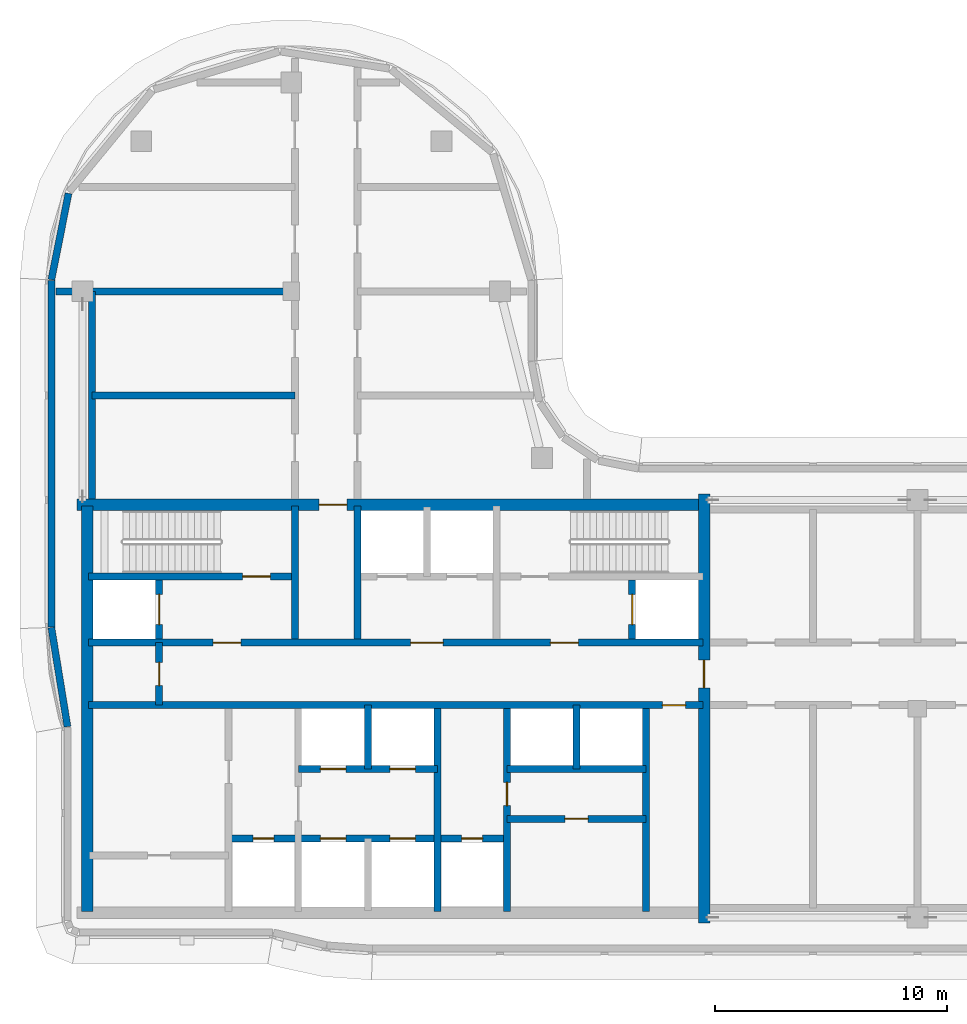
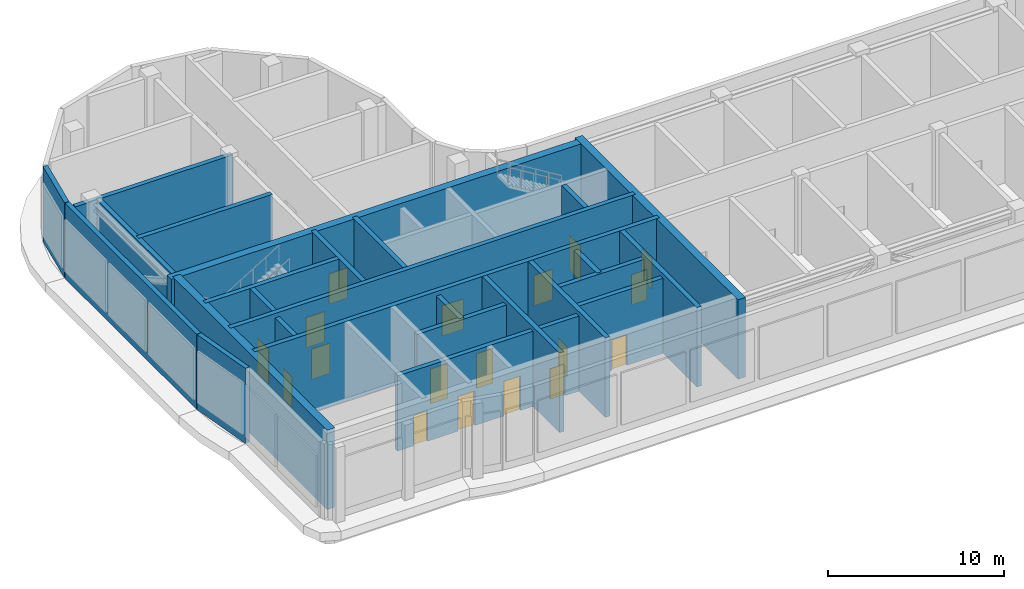
# One storey, part 2 of 14: 26 walls, 18 doors, 18 openings.
"""IFC4 building model written with IfcOpenShell, lengths in metres."""

from ifc_helpers import new_model, si_unit, direction, frame, frame_2d, origin, place, context, subcontext, project, spatial, rectangle, extrude, material, layer, layer_set, type_object, element, fill, save


model = new_model("IFC4")

# Units and contexts
model_context = context("Model", 3, precision=1e-05, world=origin(), true_north=direction((0.0, 1.0)))
body_context = subcontext(model_context, "Body", "Model", "MODEL_VIEW")
ifc_project = project(units=[si_unit("LENGTHUNIT", "METRE"), si_unit("AREAUNIT", "SQUARE_METRE"), si_unit("VOLUMEUNIT", "CUBIC_METRE"), si_unit("PLANEANGLEUNIT", "RADIAN"), si_unit("MASSUNIT", "GRAM", prefix="KILO")], contexts=[model_context])

# Site, building, storey
site_placement = place(None, origin())
site = spatial("IfcSite", under=ifc_project, at=site_placement, CompositionType="ELEMENT")
building_placement = place(site_placement, origin())
building = spatial("IfcBuilding", under=site, at=building_placement, Name="Ogive Portal Towers", CompositionType="ELEMENT")
storey_placement = place(building_placement, frame((0.0, 0.0, 243.89990234375)))
storey = spatial("IfcBuildingStorey", under=building, at=storey_placement, Name="L61", CompositionType="ELEMENT", Elevation=243.89990234375)

# Wall
ifc_material_1 = material(Name="Concrete C60/75", Category="concrete")
ifc_layer_1 = layer(ifc_material_1, 0.300048828125)
ifc_layer_set_1 = layer_set([ifc_layer_1], Name="CORE WALL 300 C60")
wall_type_1 = type_object("IfcWallType", Name="CORE WALL 300 C60", PredefinedType="SHEAR", material=ifc_layer_set_1)
wall_1_placement = place(storey_placement, frame((46.800048828125, 21.75, 0.0), z_axis=(0.0, 0.0, 1.0), x_axis=(0.0, 1.0, 0.0)))
element("IfcWall", 1, at=wall_1_placement, inside=storey, type_object=wall_type_1, Name="Core wall X3 L61", PredefinedType="SHEAR", context=body_context, shape_type="SweptSolid", body=[
    extrude(rectangle(XDim=8.75, YDim=0.300048828125, at=frame_2d((4.375, 0.0))), origin(), (0.0, 0.0, 1.0), 5.5),
])

# Wall, opening, door
wall_2_placement = place(storey_placement, frame((49.800048828125, 21.75, 0.0), z_axis=(0.0, 0.0, 1.0), x_axis=(0.0, 1.0, 0.0)))
wall_2 = element("IfcWall", 2, at=wall_2_placement, inside=storey, type_object=wall_type_1, Name="Core wall X4 L61", PredefinedType="SHEAR", context=body_context, shape_type="SweptSolid", body=[
    extrude(rectangle(XDim=8.75, YDim=0.300048828125, at=frame_2d((4.375, 0.0))), origin(), (0.0, 0.0, 1.0), 5.5),
])
opening_1_placement = place(wall_2_placement, frame((4.574951171875, 0.0, 0.0)))
opening_1 = element("IfcOpeningElement", 3, at=opening_1_placement, cuts=wall_2, Name="Opening D27-022", PredefinedType="OPENING", context=body_context, shape_type="SweptSolid", body=[
    extrude(rectangle(XDim=1.0, YDim=2.10009765625, at=frame_2d((0.5, 1.050048828125))), frame((0.0, 0.16015625, 0.0), z_axis=(0.0, -1.0, 0.0), x_axis=(1.0, 0.0, 0.0)), (0.0, 0.0, 1.0), 0.320068359375),
])
ifc_material_2 = material(Name="Steel fire door", Category="steel")
door_type_1 = type_object("IfcDoorType", Name="DT-SWING-1000x2100-FD90S", OperationType="SINGLE_SWING_LEFT", PredefinedType="DOOR", material=ifc_material_2)
door_1_placement = place(opening_1_placement, origin())
door_1 = element("IfcDoor", 4, at=door_1_placement, inside=storey, type_object=door_type_1, Name="Door D27-022", OperationType="SINGLE_SWING_LEFT", OverallHeight=2.10009765625, OverallWidth=1.0, PredefinedType="DOOR", context=body_context, shape_type="SweptSolid", body=[
    extrude(rectangle(XDim=1.0, YDim=2.10009765625, at=frame_2d((0.5, 1.050048828125))), frame((0.0, 0.02490234375, 0.0), z_axis=(0.0, -1.0, 0.0), x_axis=(1.0, 0.0, 0.0)), (0.0, 0.0, 1.0), 0.050048828125),
])
fill(opening_1, door_1)

# Wall
wall_3_placement = place(storey_placement, frame((55.800048828125, 21.75, 0.0), z_axis=(0.0, 0.0, 1.0), x_axis=(0.0, 1.0, 0.0)))
element("IfcWall", 5, at=wall_3_placement, inside=storey, type_object=wall_type_1, Name="Core wall X5 L61", PredefinedType="SHEAR", context=body_context, shape_type="SweptSolid", body=[
    extrude(rectangle(XDim=8.75, YDim=0.300048828125, at=frame_2d((4.375, 0.0))), origin(), (0.0, 0.0, 1.0), 5.5),
])

# Wall, opening, door
wall_4_placement = place(storey_placement, frame((31.75, 30.64990234375, 0.0), z_axis=(0.0, 0.0, 1.0), x_axis=(1.0, 0.0, 0.0)))
wall_4 = element("IfcWall", 6, at=wall_4_placement, inside=storey, type_object=wall_type_1, Name="Core wall Y1 L61", PredefinedType="SHEAR", context=body_context, shape_type="SweptSolid", body=[
    extrude(rectangle(XDim=26.5, YDim=0.300048828125, at=frame_2d((13.25, 0.0))), origin(), (0.0, 0.0, 1.0), 5.5),
])
opening_2_placement = place(wall_4_placement, frame((24.75, 0.0, 0.0)))
opening_2 = element("IfcOpeningElement", 7, at=opening_2_placement, cuts=wall_4, Name="Opening D27-009", PredefinedType="OPENING", context=body_context, shape_type="SweptSolid", body=[
    extrude(rectangle(XDim=1.0, YDim=2.10009765625, at=frame_2d((0.5, 1.050048828125))), frame((0.0, 0.16015625, 0.0), z_axis=(0.0, -1.0, 0.0), x_axis=(1.0, 0.0, 0.0)), (0.0, 0.0, 1.0), 0.320068359375),
])
door_2_placement = place(opening_2_placement, origin())
door_2 = element("IfcDoor", 8, at=door_2_placement, inside=storey, type_object=door_type_1, Name="Door D27-009", OperationType="SINGLE_SWING_LEFT", OverallHeight=2.10009765625, OverallWidth=1.0, PredefinedType="DOOR", context=body_context, shape_type="SweptSolid", body=[
    extrude(rectangle(XDim=1.0, YDim=2.10009765625, at=frame_2d((0.5, 1.050048828125))), frame((0.0, 0.02490234375, 0.0), z_axis=(0.0, -1.0, 0.0), x_axis=(1.0, 0.0, 0.0)), (0.0, 0.0, 1.0), 0.050048828125),
])
fill(opening_2, door_2)

# Wall, openings, doors
wall_5_placement = place(storey_placement, frame((31.75, 33.35009765625, 0.0), z_axis=(0.0, 0.0, 1.0), x_axis=(1.0, 0.0, 0.0)))
wall_5 = element("IfcWall", 9, at=wall_5_placement, inside=storey, type_object=wall_type_1, Name="Core wall Y2 L61", PredefinedType="SHEAR", context=body_context, shape_type="SweptSolid", body=[
    extrude(rectangle(XDim=26.5, YDim=0.300048828125, at=frame_2d((13.25, 0.0))), origin(), (0.0, 0.0, 1.0), 5.5),
])
opening_3_placement = place(wall_5_placement, frame((13.89990234375, 0.0, 0.0)))
opening_3 = element("IfcOpeningElement", 10, at=opening_3_placement, cuts=wall_5, Name="Opening D27-002", PredefinedType="OPENING", context=body_context, shape_type="SweptSolid", body=[
    extrude(rectangle(XDim=1.39990234375, YDim=2.10009765625, at=frame_2d((0.699951171875, 1.050048828125))), frame((0.0, 0.16015625, 0.0), z_axis=(0.0, -1.0, 0.0), x_axis=(1.0, 0.0, 0.0)), (0.0, 0.0, 1.0), 0.320068359375),
])
opening_4_placement = place(wall_5_placement, frame((5.375, 0.0, 0.0)))
opening_4 = element("IfcOpeningElement", 11, at=opening_4_placement, cuts=wall_5, Name="Opening D27-003", PredefinedType="OPENING", context=body_context, shape_type="SweptSolid", body=[
    extrude(rectangle(XDim=1.199951171875, YDim=2.10009765625, at=frame_2d((0.60009765625, 1.050048828125))), frame((0.0, 0.16015625, 0.0), z_axis=(0.0, -1.0, 0.0), x_axis=(1.0, 0.0, 0.0)), (0.0, 0.0, 1.0), 0.320068359375),
])
opening_5_placement = place(wall_5_placement, frame((19.925048828125, 0.0, 0.0)))
opening_5 = element("IfcOpeningElement", 12, at=opening_5_placement, cuts=wall_5, Name="Opening D27-004", PredefinedType="OPENING", context=body_context, shape_type="SweptSolid", body=[
    extrude(rectangle(XDim=1.199951171875, YDim=2.10009765625, at=frame_2d((0.60009765625, 1.050048828125))), frame((0.0, 0.16015625, 0.0), z_axis=(0.0, -1.0, 0.0), x_axis=(1.0, 0.0, 0.0)), (0.0, 0.0, 1.0), 0.320068359375),
])
door_type_2 = type_object("IfcDoorType", Name="DT-SWING-1200x2100-FD90S", OperationType="SINGLE_SWING_LEFT", PredefinedType="DOOR", material=ifc_material_2)
door_3_placement = place(opening_4_placement, origin())
door_3 = element("IfcDoor", 13, at=door_3_placement, inside=storey, type_object=door_type_2, Name="Door D27-003", OperationType="SINGLE_SWING_LEFT", OverallHeight=2.10009765625, OverallWidth=1.199951171875, PredefinedType="DOOR", context=body_context, shape_type="SweptSolid", body=[
    extrude(rectangle(XDim=1.199951171875, YDim=2.10009765625, at=frame_2d((0.60009765625, 1.050048828125))), frame((0.0, 0.02490234375, 0.0), z_axis=(0.0, -1.0, 0.0), x_axis=(1.0, 0.0, 0.0)), (0.0, 0.0, 1.0), 0.050048828125),
])
fill(opening_4, door_3)
door_4_placement = place(opening_5_placement, origin())
door_4 = element("IfcDoor", 14, at=door_4_placement, inside=storey, type_object=door_type_2, Name="Door D27-004", OperationType="SINGLE_SWING_RIGHT", OverallHeight=2.10009765625, OverallWidth=1.199951171875, PredefinedType="DOOR", context=body_context, shape_type="SweptSolid", body=[
    extrude(rectangle(XDim=1.199951171875, YDim=2.10009765625, at=frame_2d((0.60009765625, 1.050048828125))), frame((0.0, 0.02490234375, 0.0), z_axis=(0.0, -1.0, 0.0), x_axis=(1.0, 0.0, 0.0)), (0.0, 0.0, 1.0), 0.050048828125),
])
fill(opening_5, door_4)
door_type_3 = type_object("IfcDoorType", Name="DT-SWING-1400x2100-FD90S", OperationType="SINGLE_SWING_LEFT", PredefinedType="DOOR", material=ifc_material_2)
door_5_placement = place(opening_3_placement, origin())
door_5 = element("IfcDoor", 15, at=door_5_placement, inside=storey, type_object=door_type_3, Name="Door D27-002", OperationType="SINGLE_SWING_RIGHT", OverallHeight=2.10009765625, OverallWidth=1.39990234375, PredefinedType="DOOR", context=body_context, shape_type="SweptSolid", body=[
    extrude(rectangle(XDim=1.39990234375, YDim=2.10009765625, at=frame_2d((0.699951171875, 1.050048828125))), frame((0.0, 0.02490234375, 0.0), z_axis=(0.0, -1.0, 0.0), x_axis=(1.0, 0.0, 0.0)), (0.0, 0.0, 1.0), 0.050048828125),
])
fill(opening_3, door_5)

# Wall, opening, door
wall_6_placement = place(storey_placement, frame((31.75, 36.199951171875, 0.0), z_axis=(0.0, 0.0, 1.0), x_axis=(1.0, 0.0, 0.0)))
wall_6 = element("IfcWall", 16, at=wall_6_placement, inside=storey, type_object=wall_type_1, Name="Core wall Y3a L61", PredefinedType="SHEAR", context=body_context, shape_type="SweptSolid", body=[
    extrude(rectangle(XDim=8.75, YDim=0.300048828125, at=frame_2d((4.375, 0.0))), origin(), (0.0, 0.0, 1.0), 5.5),
])
opening_6_placement = place(wall_6_placement, frame((6.64990234375, 0.0, 0.0)))
opening_6 = element("IfcOpeningElement", 17, at=opening_6_placement, cuts=wall_6, Name="Opening D27-005", PredefinedType="OPENING", context=body_context, shape_type="SweptSolid", body=[
    extrude(rectangle(XDim=1.199951171875, YDim=2.10009765625, at=frame_2d((0.60009765625, 1.050048828125))), frame((0.0, 0.16015625, 0.0), z_axis=(0.0, -1.0, 0.0), x_axis=(1.0, 0.0, 0.0)), (0.0, 0.0, 1.0), 0.320068359375),
])
door_6_placement = place(opening_6_placement, origin())
door_6 = element("IfcDoor", 18, at=door_6_placement, inside=storey, type_object=door_type_2, Name="Door D27-005", OperationType="SINGLE_SWING_RIGHT", OverallHeight=2.10009765625, OverallWidth=1.199951171875, PredefinedType="DOOR", context=body_context, shape_type="SweptSolid", body=[
    extrude(rectangle(XDim=1.199951171875, YDim=2.10009765625, at=frame_2d((0.60009765625, 1.050048828125))), frame((0.0, 0.02490234375, 0.0), z_axis=(0.0, -1.0, 0.0), x_axis=(1.0, 0.0, 0.0)), (0.0, 0.0, 1.0), 0.050048828125),
])
fill(opening_6, door_6)

# Walls
for number, where, z_axis, x_axis, name in (
    (19, (40.64990234375, 33.5, 0.0), (0.0, 0.0, 1.0), (0.0, 1.0, 0.0), "Core wall X6 L61"),
    (20, (43.35009765625, 33.5, 0.0), (0.0, 0.0, 1.0), (0.0, 1.0, 0.0), "Core wall X7 L61"),
):
    element("IfcWall", number, at=place(storey_placement, frame(where, z_axis=z_axis, x_axis=x_axis)), inside=storey, type_object=wall_type_1, Name=name, PredefinedType="SHEAR", context=body_context, shape_type="SweptSolid", body=[
        extrude(rectangle(XDim=5.75, YDim=0.300048828125, at=frame_2d((2.875, 0.0))), origin(), (0.0, 0.0, 1.0), 5.5),
    ])

# Wall, opening, door
wall_7_placement = place(storey_placement, frame((34.800048828125, 33.5, 0.0), z_axis=(0.0, 0.0, 1.0), x_axis=(0.0, 1.0, 0.0)))
wall_7 = element("IfcWall", 21, at=wall_7_placement, inside=storey, type_object=wall_type_1, Name="Core wall X8 L61", PredefinedType="SHEAR", context=body_context, shape_type="SweptSolid", body=[
    extrude(rectangle(XDim=2.550048828125, YDim=0.300048828125, at=frame_2d((1.27490234375, 0.0))), origin(), (0.0, 0.0, 1.0), 5.5),
])
opening_7_placement = place(wall_7_placement, frame((0.625, 0.0, 0.0)))
opening_7 = element("IfcOpeningElement", 22, at=opening_7_placement, cuts=wall_7, Name="Opening D27-018", PredefinedType="OPENING", context=body_context, shape_type="SweptSolid", body=[
    extrude(rectangle(XDim=1.300048828125, YDim=2.39990234375, at=frame_2d((0.64990234375, 1.199951171875))), frame((0.0, 0.16015625, 0.0), z_axis=(0.0, -1.0, 0.0), x_axis=(1.0, 0.0, 0.0)), (0.0, 0.0, 1.0), 0.320068359375),
])
ifc_material_3 = material(Name="Stainless steel", Category="steel")
door_type_4 = type_object("IfcDoorType", Name="DT-LD-1300x2400", OperationType="SLIDING_TO_LEFT", PredefinedType="DOOR", material=ifc_material_3)
door_7_placement = place(opening_7_placement, origin())
door_7 = element("IfcDoor", 23, at=door_7_placement, inside=storey, type_object=door_type_4, Name="Door D27-018", OperationType="SLIDING_TO_LEFT", OverallHeight=2.39990234375, OverallWidth=1.300048828125, PredefinedType="DOOR", context=body_context, shape_type="SweptSolid", body=[
    extrude(rectangle(XDim=1.300048828125, YDim=2.39990234375, at=frame_2d((0.64990234375, 1.199951171875))), frame((0.0, 0.02490234375, 0.0), z_axis=(0.0, -1.0, 0.0), x_axis=(1.0, 0.0, 0.0)), (0.0, 0.0, 1.0), 0.050048828125),
])
fill(opening_7, door_7)

wall_8_placement = place(storey_placement, frame((55.199951171875, 33.5, 0.0), z_axis=(0.0, 0.0, 1.0), x_axis=(0.0, 1.0, 0.0)))
wall_8 = element("IfcWall", 24, at=wall_8_placement, inside=storey, type_object=wall_type_1, Name="Core wall X10 L61", PredefinedType="SHEAR", context=body_context, shape_type="SweptSolid", body=[
    extrude(rectangle(XDim=2.550048828125, YDim=0.300048828125, at=frame_2d((1.27490234375, 0.0))), origin(), (0.0, 0.0, 1.0), 5.5),
])
opening_8_placement = place(wall_8_placement, frame((0.625, 0.0, 0.0)))
opening_8 = element("IfcOpeningElement", 25, at=opening_8_placement, cuts=wall_8, Name="Opening D27-019", PredefinedType="OPENING", context=body_context, shape_type="SweptSolid", body=[
    extrude(rectangle(XDim=1.300048828125, YDim=2.39990234375, at=frame_2d((0.64990234375, 1.199951171875))), frame((0.0, 0.16015625, 0.0), z_axis=(0.0, -1.0, 0.0), x_axis=(1.0, 0.0, 0.0)), (0.0, 0.0, 1.0), 0.320068359375),
])
door_8_placement = place(opening_8_placement, origin())
door_8 = element("IfcDoor", 26, at=door_8_placement, inside=storey, type_object=door_type_4, Name="Door D27-019", OperationType="SLIDING_TO_LEFT", OverallHeight=2.39990234375, OverallWidth=1.300048828125, PredefinedType="DOOR", context=body_context, shape_type="SweptSolid", body=[
    extrude(rectangle(XDim=1.300048828125, YDim=2.39990234375, at=frame_2d((0.64990234375, 1.199951171875))), frame((0.0, 0.02490234375, 0.0), z_axis=(0.0, -1.0, 0.0), x_axis=(1.0, 0.0, 0.0)), (0.0, 0.0, 1.0), 0.050048828125),
])
fill(opening_8, door_8)

# Wall
ifc_layer_2 = layer(ifc_material_1, 0.5)
ifc_layer_set_2 = layer_set([ifc_layer_2], Name="CORE WALL 500 C60")
wall_type_2 = type_object("IfcWallType", Name="CORE WALL 500 C60", PredefinedType="SHEAR", material=ifc_layer_set_2)
wall_9_placement = place(storey_placement, frame((31.699951171875, 21.75, 0.0), z_axis=(0.0, 0.0, 1.0), x_axis=(0.0, 1.0, 0.0)))
element("IfcWall", 27, at=wall_9_placement, inside=storey, type_object=wall_type_2, Name="Core wall W L61", PredefinedType="SHEAR", context=body_context, shape_type="SweptSolid", body=[
    extrude(rectangle(XDim=17.5, YDim=0.5, at=frame_2d((8.75, 0.0))), origin(), (0.0, 0.0, 1.0), 5.5),
])

# Wall, opening, door
wall_10_placement = place(storey_placement, frame((58.300048828125, 21.25, 0.0), z_axis=(0.0, 0.0, 1.0), x_axis=(0.0, 1.0, 0.0)))
wall_10 = element("IfcWall", 28, at=wall_10_placement, inside=storey, type_object=wall_type_2, Name="Core wall E L61", PredefinedType="SHEAR", context=body_context, shape_type="SweptSolid", body=[
    extrude(rectangle(XDim=18.5, YDim=0.5, at=frame_2d((9.25, 0.0))), origin(), (0.0, 0.0, 1.0), 5.5),
])
opening_9_placement = place(wall_10_placement, frame((10.14990234375, 0.0, 0.0)))
opening_9 = element("IfcOpeningElement", 29, at=opening_9_placement, cuts=wall_10, Name="Opening D27-010", PredefinedType="OPENING", context=body_context, shape_type="SweptSolid", body=[
    extrude(rectangle(XDim=1.199951171875, YDim=2.10009765625, at=frame_2d((0.60009765625, 1.050048828125))), frame((0.0, 0.260009765625, 0.0), z_axis=(0.0, -1.0, 0.0), x_axis=(1.0, 0.0, 0.0)), (0.0, 0.0, 1.0), 0.52001953125),
])
door_9_placement = place(opening_9_placement, origin())
door_9 = element("IfcDoor", 30, at=door_9_placement, inside=storey, type_object=door_type_2, Name="Door D27-010", OperationType="SINGLE_SWING_LEFT", OverallHeight=2.10009765625, OverallWidth=1.199951171875, PredefinedType="DOOR", context=body_context, shape_type="SweptSolid", body=[
    extrude(rectangle(XDim=1.199951171875, YDim=2.10009765625, at=frame_2d((0.60009765625, 1.050048828125))), frame((0.0, 0.02490234375, 0.0), z_axis=(0.0, -1.0, 0.0), x_axis=(1.0, 0.0, 0.0)), (0.0, 0.0, 1.0), 0.050048828125),
])
fill(opening_9, door_9)

wall_11_placement = place(storey_placement, frame((31.25, 39.300048828125, 0.0), z_axis=(0.0, 0.0, 1.0), x_axis=(1.0, 0.0, 0.0)))
wall_11 = element("IfcWall", 31, at=wall_11_placement, inside=storey, type_object=wall_type_2, Name="Core wall N L61", PredefinedType="SHEAR", context=body_context, shape_type="SweptSolid", body=[
    extrude(rectangle(XDim=27.0, YDim=0.5, at=frame_2d((13.5, 0.0))), origin(), (0.0, 0.0, 1.0), 5.5),
])
opening_10_placement = place(wall_11_placement, frame((10.449951171875, 0.0, 0.0)))
opening_10 = element("IfcOpeningElement", 32, at=opening_10_placement, cuts=wall_11, Name="Opening D27-011", PredefinedType="OPENING", context=body_context, shape_type="SweptSolid", body=[
    extrude(rectangle(XDim=1.199951171875, YDim=2.10009765625, at=frame_2d((0.60009765625, 1.050048828125))), frame((0.0, 0.260009765625, 0.0), z_axis=(0.0, -1.0, 0.0), x_axis=(1.0, 0.0, 0.0)), (0.0, 0.0, 1.0), 0.52001953125),
])
door_10_placement = place(opening_10_placement, origin())
door_10 = element("IfcDoor", 33, at=door_10_placement, inside=storey, type_object=door_type_2, Name="Door D27-011", OperationType="SINGLE_SWING_RIGHT", OverallHeight=2.10009765625, OverallWidth=1.199951171875, PredefinedType="DOOR", context=body_context, shape_type="SweptSolid", body=[
    extrude(rectangle(XDim=1.199951171875, YDim=2.10009765625, at=frame_2d((0.60009765625, 1.050048828125))), frame((0.0, 0.02490234375, 0.0), z_axis=(0.0, -1.0, 0.0), x_axis=(1.0, 0.0, 0.0)), (0.0, 0.0, 1.0), 0.050048828125),
])
fill(opening_10, door_10)

# Walls
ifc_material_4 = material(Name="Limestone cladding on lightweight block wall", Category="masonry")
ifc_layer_3 = layer(ifc_material_4, 0.300048828125)
ifc_layer_set_3 = layer_set([ifc_layer_3], Name="EXTERNAL WALL 300 STONE")
wall_type_3 = type_object("IfcWallType", Name="EXTERNAL WALL 300 STONE", PredefinedType="SOLIDWALL", material=ifc_layer_set_3)
wall_12_placement = place(storey_placement, frame((30.8935546875, 52.723876953125, 0.0), z_axis=(0.0, 0.0, 1.0), x_axis=(-0.195077379777, -0.980787854686, 0.0)))
element("IfcWall", 34, at=wall_12_placement, inside=storey, type_object=wall_type_3, Name="A:L61:f23:r0:wall", PredefinedType="SOLIDWALL", context=body_context, shape_type="SweptSolid", body=[
    extrude(rectangle(XDim=3.797119140625, YDim=0.300048828125, at=frame_2d((1.8984375, 0.0))), origin(), (0.0, 0.0, 1.0), 5.2001953125),
])
wall_13_placement = place(storey_placement, frame((30.14990234375, 48.970458984375, 0.0), z_axis=(0.0, 0.0, 1.0), x_axis=(0.0, -1.0, 0.0)))
element("IfcWall", 35, at=wall_13_placement, inside=storey, type_object=wall_type_3, Name="A:L61:f24:r0:wall", PredefinedType="SOLIDWALL", context=body_context, shape_type="SweptSolid", body=[
    extrude(rectangle(XDim=14.9462890625, YDim=0.300048828125, at=frame_2d((7.47314453125, 0.0))), origin(), (0.0, 0.0, 1.0), 5.2001953125),
])
wall_14_placement = place(storey_placement, frame((30.15185546875, 34.000244140625, 0.0), z_axis=(0.0, 0.0, 1.0), x_axis=(0.160697303067, -0.987003736967, 0.0)))
element("IfcWall", 36, at=wall_14_placement, inside=storey, type_object=wall_type_3, Name="A:L61:f25:r0:wall", PredefinedType="SOLIDWALL", context=body_context, shape_type="SweptSolid", body=[
    extrude(rectangle(XDim=4.3330078125, YDim=0.300048828125, at=frame_2d((2.16650390625, 0.0))), origin(), (0.0, 0.0, 1.0), 5.2001953125),
])

# Wall, opening, door
ifc_material_5 = material(Name="Gypsum board partition on steel studs", Category="steel")
ifc_layer_4 = layer(ifc_material_5, 0.300048828125)
ifc_layer_set_4 = layer_set([ifc_layer_4], Name="WT-PART-300")
wall_type_4 = type_object("IfcWallType", Name="WT-PART-300", PredefinedType="PARTITIONING", material=ifc_layer_set_4)
wall_15_placement = place(storey_placement, frame((49.800048828125, 25.75, 0.0), z_axis=(0.0, 0.0, 1.0), x_axis=(1.0, 0.0, 0.0)))
wall_15 = element("IfcWall", 37, at=wall_15_placement, inside=storey, type_object=wall_type_4, Name="Wall pw:003:L61", PredefinedType="PARTITIONING", context=body_context, shape_type="SweptSolid", body=[
    extrude(rectangle(XDim=6.0, YDim=0.300048828125, at=frame_2d((3.0, 0.0))), origin(), (0.0, 0.0, 1.0), 5.2001953125),
])
opening_11_placement = place(wall_15_placement, frame((2.5, 0.0, 0.0)))
opening_11 = element("IfcOpeningElement", 38, at=opening_11_placement, cuts=wall_15, Name="Opening D27-023", PredefinedType="OPENING", context=body_context, shape_type="SweptSolid", body=[
    extrude(rectangle(XDim=1.0, YDim=2.10009765625, at=frame_2d((0.5, 1.050048828125))), frame((0.0, 0.16015625, 0.0), z_axis=(0.0, -1.0, 0.0), x_axis=(1.0, 0.0, 0.0)), (0.0, 0.0, 1.0), 0.320068359375),
])
door_type_5 = type_object("IfcDoorType", Name="DT-SWING-1000x2100-FD60S", OperationType="SINGLE_SWING_LEFT", PredefinedType="DOOR", material=ifc_material_2)
door_11_placement = place(opening_11_placement, origin())
door_11 = element("IfcDoor", 39, at=door_11_placement, inside=storey, type_object=door_type_5, Name="Door D27-023", OperationType="SINGLE_SWING_RIGHT", OverallHeight=2.10009765625, OverallWidth=1.0, PredefinedType="DOOR", context=body_context, shape_type="SweptSolid", body=[
    extrude(rectangle(XDim=1.0, YDim=2.10009765625, at=frame_2d((0.5, 1.050048828125))), frame((0.0, 0.02490234375, 0.0), z_axis=(0.0, -1.0, 0.0), x_axis=(1.0, 0.0, 0.0)), (0.0, 0.0, 1.0), 0.050048828125),
])
fill(opening_11, door_11)

# Walls
ifc_layer_5 = layer(ifc_material_5, 0.300048828125)
ifc_layer_set_5 = layer_set([ifc_layer_5], Name="WT-PART-300-EI 60")
wall_type_5 = type_object("IfcWallType", Name="WT-PART-300-EI 60", PredefinedType="PARTITIONING", material=ifc_layer_set_5)
wall_16_placement = place(storey_placement, frame((31.89990234375, 44.0, 0.0), z_axis=(0.0, 0.0, 1.0), x_axis=(1.0, 0.0, 0.0)))
element("IfcWall", 40, at=wall_16_placement, inside=storey, type_object=wall_type_5, Name="Wall L61:w008", PredefinedType="PARTITIONING", context=body_context, shape_type="SweptSolid", body=[
    extrude(rectangle(XDim=8.75, YDim=0.300048828125, at=frame_2d((4.375, 0.0))), origin(), (0.0, 0.0, 1.0), 5.2001953125),
])
wall_17_placement = place(storey_placement, frame((30.35009765625, 48.5, 0.0), z_axis=(0.0, 0.0, 1.0), x_axis=(1.0, 0.0, 0.0)))
element("IfcWall", 41, at=wall_17_placement, inside=storey, type_object=wall_type_5, Name="Wall L61:w010", PredefinedType="PARTITIONING", context=body_context, shape_type="SweptSolid", body=[
    extrude(rectangle(XDim=10.2998046875, YDim=0.300048828125, at=frame_2d((5.14990234375, 0.0))), origin(), (0.0, 0.0, 1.0), 5.2001953125),
])
wall_18_placement = place(storey_placement, frame((31.89990234375, 39.550048828125, 0.0), z_axis=(0.0, 0.0, 1.0), x_axis=(0.0, 1.0, 0.0)))
element("IfcWall", 42, at=wall_18_placement, inside=storey, type_object=wall_type_5, Name="Wall L61:w017", PredefinedType="PARTITIONING", context=body_context, shape_type="SweptSolid", body=[
    extrude(rectangle(XDim=8.949951171875, YDim=0.300048828125, at=frame_2d((4.47509765625, 0.0))), origin(), (0.0, 0.0, 1.0), 5.2001953125),
])

# Wall, openings, doors
ifc_material_6 = material(Name="Concrete C40/50", Category="concrete")
ifc_layer_6 = layer(ifc_material_6, 0.300048828125)
ifc_layer_set_6 = layer_set([ifc_layer_6], Name="WT-SHAFT-300")
wall_type_6 = type_object("IfcWallType", Name="WT-SHAFT-300", PredefinedType="SOLIDWALL", material=ifc_layer_set_6)
wall_19_placement = place(storey_placement, frame((37.800048828125, 24.89990234375, 0.0), z_axis=(0.0, 0.0, 1.0), x_axis=(1.0, 0.0, 0.0)))
wall_19 = element("IfcWall", 43, at=wall_19_placement, inside=storey, type_object=wall_type_6, Name="Wall pw:002:L61", PredefinedType="SOLIDWALL", context=body_context, shape_type="SweptSolid", body=[
    extrude(rectangle(XDim=12.0, YDim=0.300048828125, at=frame_2d((6.0, 0.0))), origin(), (0.0, 0.0, 1.0), 5.2001953125),
])
opening_12_placement = place(wall_19_placement, frame((1.050048828125, 0.0, 0.0)))
opening_12 = element("IfcOpeningElement", 44, at=opening_12_placement, cuts=wall_19, Name="Opening D27-007", PredefinedType="OPENING", context=body_context, shape_type="SweptSolid", body=[
    extrude(rectangle(XDim=0.89990234375, YDim=2.10009765625, at=frame_2d((0.449951171875, 1.050048828125))), frame((0.0, 0.16015625, 0.0), z_axis=(0.0, -1.0, 0.0), x_axis=(1.0, 0.0, 0.0)), (0.0, 0.0, 1.0), 0.320068359375),
])
opening_13_placement = place(wall_19_placement, frame((10.050048828125, 0.0, 0.0)))
opening_13 = element("IfcOpeningElement", 45, at=opening_13_placement, cuts=wall_19, Name="Opening D27-008", PredefinedType="OPENING", context=body_context, shape_type="SweptSolid", body=[
    extrude(rectangle(XDim=0.89990234375, YDim=2.10009765625, at=frame_2d((0.449951171875, 1.050048828125))), frame((0.0, 0.16015625, 0.0), z_axis=(0.0, -1.0, 0.0), x_axis=(1.0, 0.0, 0.0)), (0.0, 0.0, 1.0), 0.320068359375),
])
opening_14_placement = place(wall_19_placement, frame((3.949951171875, 0.0, 0.0)))
opening_14 = element("IfcOpeningElement", 46, at=opening_14_placement, cuts=wall_19, Name="Opening D27-012", PredefinedType="OPENING", context=body_context, shape_type="SweptSolid", body=[
    extrude(rectangle(XDim=1.10009765625, YDim=2.39990234375, at=frame_2d((0.550048828125, 1.199951171875))), frame((0.0, 0.16015625, 0.0), z_axis=(0.0, -1.0, 0.0), x_axis=(1.0, 0.0, 0.0)), (0.0, 0.0, 1.0), 0.320068359375),
])
opening_15_placement = place(wall_19_placement, frame((6.949951171875, 0.0, 0.0)))
opening_15 = element("IfcOpeningElement", 47, at=opening_15_placement, cuts=wall_19, Name="Opening D27-013", PredefinedType="OPENING", context=body_context, shape_type="SweptSolid", body=[
    extrude(rectangle(XDim=1.10009765625, YDim=2.39990234375, at=frame_2d((0.550048828125, 1.199951171875))), frame((0.0, 0.16015625, 0.0), z_axis=(0.0, -1.0, 0.0), x_axis=(1.0, 0.0, 0.0)), (0.0, 0.0, 1.0), 0.320068359375),
])
door_type_6 = type_object("IfcDoorType", Name="DT-LD-1100x2400", OperationType="SLIDING_TO_LEFT", PredefinedType="DOOR", material=ifc_material_3)
door_12_placement = place(opening_14_placement, origin())
door_12 = element("IfcDoor", 48, at=door_12_placement, inside=storey, type_object=door_type_6, Name="Door D27-012", OperationType="SLIDING_TO_LEFT", OverallHeight=2.39990234375, OverallWidth=1.10009765625, PredefinedType="DOOR", context=body_context, shape_type="SweptSolid", body=[
    extrude(rectangle(XDim=1.10009765625, YDim=2.39990234375, at=frame_2d((0.550048828125, 1.199951171875))), frame((0.0, 0.02490234375, 0.0), z_axis=(0.0, -1.0, 0.0), x_axis=(1.0, 0.0, 0.0)), (0.0, 0.0, 1.0), 0.050048828125),
])
fill(opening_14, door_12)
door_13_placement = place(opening_15_placement, origin())
door_13 = element("IfcDoor", 49, at=door_13_placement, inside=storey, type_object=door_type_6, Name="Door D27-013", OperationType="SLIDING_TO_LEFT", OverallHeight=2.39990234375, OverallWidth=1.10009765625, PredefinedType="DOOR", context=body_context, shape_type="SweptSolid", body=[
    extrude(rectangle(XDim=1.10009765625, YDim=2.39990234375, at=frame_2d((0.550048828125, 1.199951171875))), frame((0.0, 0.02490234375, 0.0), z_axis=(0.0, -1.0, 0.0), x_axis=(1.0, 0.0, 0.0)), (0.0, 0.0, 1.0), 0.050048828125),
])
fill(opening_15, door_13)
door_type_7 = type_object("IfcDoorType", Name="DT-SWING-900x2100-FD90S", OperationType="SINGLE_SWING_LEFT", PredefinedType="DOOR", material=ifc_material_2)
door_14_placement = place(opening_12_placement, origin())
door_14 = element("IfcDoor", 50, at=door_14_placement, inside=storey, type_object=door_type_7, Name="Riser access door D27-007", OperationType="SINGLE_SWING_LEFT", OverallHeight=2.10009765625, OverallWidth=0.89990234375, PredefinedType="DOOR", context=body_context, shape_type="SweptSolid", body=[
    extrude(rectangle(XDim=0.89990234375, YDim=2.10009765625, at=frame_2d((0.449951171875, 1.050048828125))), frame((0.0, 0.02490234375, 0.0), z_axis=(0.0, -1.0, 0.0), x_axis=(1.0, 0.0, 0.0)), (0.0, 0.0, 1.0), 0.050048828125),
])
fill(opening_12, door_14)
door_15_placement = place(opening_13_placement, origin())
door_15 = element("IfcDoor", 51, at=door_15_placement, inside=storey, type_object=door_type_7, Name="Riser access door D27-008", OperationType="SINGLE_SWING_RIGHT", OverallHeight=2.10009765625, OverallWidth=0.89990234375, PredefinedType="DOOR", context=body_context, shape_type="SweptSolid", body=[
    extrude(rectangle(XDim=0.89990234375, YDim=2.10009765625, at=frame_2d((0.449951171875, 1.050048828125))), frame((0.0, 0.02490234375, 0.0), z_axis=(0.0, -1.0, 0.0), x_axis=(1.0, 0.0, 0.0)), (0.0, 0.0, 1.0), 0.050048828125),
])
fill(opening_13, door_15)

wall_20_placement = place(storey_placement, frame((40.800048828125, 27.89990234375, 0.0), z_axis=(0.0, 0.0, 1.0), x_axis=(1.0, 0.0, 0.0)))
wall_20 = element("IfcWall", 52, at=wall_20_placement, inside=storey, type_object=wall_type_6, Name="Wall pw:004:L61", PredefinedType="SOLIDWALL", context=body_context, shape_type="SweptSolid", body=[
    extrude(rectangle(XDim=6.0, YDim=0.300048828125, at=frame_2d((3.0, 0.0))), origin(), (0.0, 0.0, 1.0), 5.2001953125),
])
opening_16_placement = place(wall_20_placement, frame((0.949951171875, 0.0, 0.0)))
opening_16 = element("IfcOpeningElement", 53, at=opening_16_placement, cuts=wall_20, Name="Opening D27-014", PredefinedType="OPENING", context=body_context, shape_type="SweptSolid", body=[
    extrude(rectangle(XDim=1.10009765625, YDim=2.39990234375, at=frame_2d((0.550048828125, 1.199951171875))), frame((0.0, 0.16015625, 0.0), z_axis=(0.0, -1.0, 0.0), x_axis=(1.0, 0.0, 0.0)), (0.0, 0.0, 1.0), 0.320068359375),
])
opening_17_placement = place(wall_20_placement, frame((3.949951171875, 0.0, 0.0)))
opening_17 = element("IfcOpeningElement", 54, at=opening_17_placement, cuts=wall_20, Name="Opening D27-015", PredefinedType="OPENING", context=body_context, shape_type="SweptSolid", body=[
    extrude(rectangle(XDim=1.10009765625, YDim=2.39990234375, at=frame_2d((0.550048828125, 1.199951171875))), frame((0.0, 0.16015625, 0.0), z_axis=(0.0, -1.0, 0.0), x_axis=(1.0, 0.0, 0.0)), (0.0, 0.0, 1.0), 0.320068359375),
])
door_16_placement = place(opening_16_placement, origin())
door_16 = element("IfcDoor", 55, at=door_16_placement, inside=storey, type_object=door_type_6, Name="Door D27-014", OperationType="SLIDING_TO_LEFT", OverallHeight=2.39990234375, OverallWidth=1.10009765625, PredefinedType="DOOR", context=body_context, shape_type="SweptSolid", body=[
    extrude(rectangle(XDim=1.10009765625, YDim=2.39990234375, at=frame_2d((0.550048828125, 1.199951171875))), frame((0.0, 0.02490234375, 0.0), z_axis=(0.0, -1.0, 0.0), x_axis=(1.0, 0.0, 0.0)), (0.0, 0.0, 1.0), 0.050048828125),
])
fill(opening_16, door_16)
door_17_placement = place(opening_17_placement, origin())
door_17 = element("IfcDoor", 56, at=door_17_placement, inside=storey, type_object=door_type_6, Name="Door D27-015", OperationType="SLIDING_TO_LEFT", OverallHeight=2.39990234375, OverallWidth=1.10009765625, PredefinedType="DOOR", context=body_context, shape_type="SweptSolid", body=[
    extrude(rectangle(XDim=1.10009765625, YDim=2.39990234375, at=frame_2d((0.550048828125, 1.199951171875))), frame((0.0, 0.02490234375, 0.0), z_axis=(0.0, -1.0, 0.0), x_axis=(1.0, 0.0, 0.0)), (0.0, 0.0, 1.0), 0.050048828125),
])
fill(opening_17, door_17)

# Wall
wall_21_placement = place(storey_placement, frame((49.800048828125, 27.89990234375, 0.0), z_axis=(0.0, 0.0, 1.0), x_axis=(1.0, 0.0, 0.0)))
element("IfcWall", 57, at=wall_21_placement, inside=storey, type_object=wall_type_6, Name="Wall pw:005:L61", PredefinedType="SOLIDWALL", context=body_context, shape_type="SweptSolid", body=[
    extrude(rectangle(XDim=6.0, YDim=0.300048828125, at=frame_2d((3.0, 0.0))), origin(), (0.0, 0.0, 1.0), 5.2001953125),
])

# Wall, opening, door
wall_22_placement = place(storey_placement, frame((34.800048828125, 30.64990234375, 0.0), z_axis=(0.0, 0.0, 1.0), x_axis=(0.0, 1.0, 0.0)))
wall_22 = element("IfcWall", 58, at=wall_22_placement, inside=storey, type_object=wall_type_6, Name="Wall pw:006:L61", PredefinedType="SOLIDWALL", context=body_context, shape_type="SweptSolid", body=[
    extrude(rectangle(XDim=2.7001953125, YDim=0.300048828125, at=frame_2d((1.35009765625, 0.0))), origin(), (0.0, 0.0, 1.0), 5.2001953125),
])
opening_18_placement = place(wall_22_placement, frame((0.85009765625, 0.0, 0.0)))
opening_18 = element("IfcOpeningElement", 59, at=opening_18_placement, cuts=wall_22, Name="Opening D27-024", PredefinedType="OPENING", context=body_context, shape_type="SweptSolid", body=[
    extrude(rectangle(XDim=1.0, YDim=2.10009765625, at=frame_2d((0.5, 1.050048828125))), frame((0.0, 0.16015625, 0.0), z_axis=(0.0, -1.0, 0.0), x_axis=(1.0, 0.0, 0.0)), (0.0, 0.0, 1.0), 0.320068359375),
])
door_18_placement = place(opening_18_placement, origin())
door_18 = element("IfcDoor", 60, at=door_18_placement, inside=storey, type_object=door_type_1, Name="Door D27-024", OperationType="SINGLE_SWING_LEFT", OverallHeight=2.10009765625, OverallWidth=1.0, PredefinedType="DOOR", context=body_context, shape_type="SweptSolid", body=[
    extrude(rectangle(XDim=1.0, YDim=2.10009765625, at=frame_2d((0.5, 1.050048828125))), frame((0.0, 0.02490234375, 0.0), z_axis=(0.0, -1.0, 0.0), x_axis=(1.0, 0.0, 0.0)), (0.0, 0.0, 1.0), 0.050048828125),
])
fill(opening_18, door_18)

# Walls
for number, where, z_axis, x_axis, name in (
    (61, (43.800048828125, 27.89990234375, 0.0), (0.0, 0.0, 1.0), (0.0, 1.0, 0.0), "Wall pw:008:L61"),
    (62, (52.800048828125, 27.89990234375, 0.0), (0.0, 0.0, 1.0), (0.0, 1.0, 0.0), "Wall pw:010:L61"),
):
    element("IfcWall", number, at=place(storey_placement, frame(where, z_axis=z_axis, x_axis=x_axis)), inside=storey, type_object=wall_type_6, Name=name, PredefinedType="SOLIDWALL", context=body_context, shape_type="SweptSolid", body=[
        extrude(rectangle(XDim=2.75, YDim=0.300048828125, at=frame_2d((1.375, 0.0))), origin(), (0.0, 0.0, 1.0), 5.2001953125),
    ])

save(model, "model.ifc")
